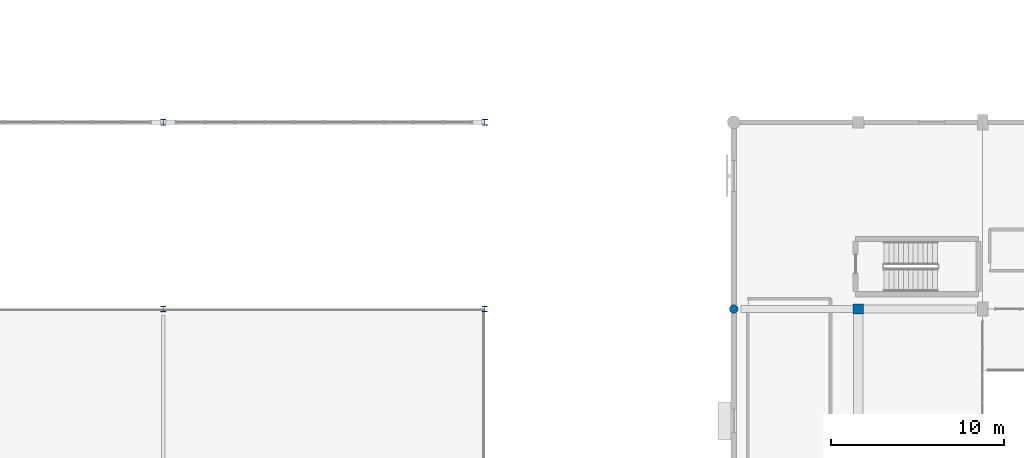
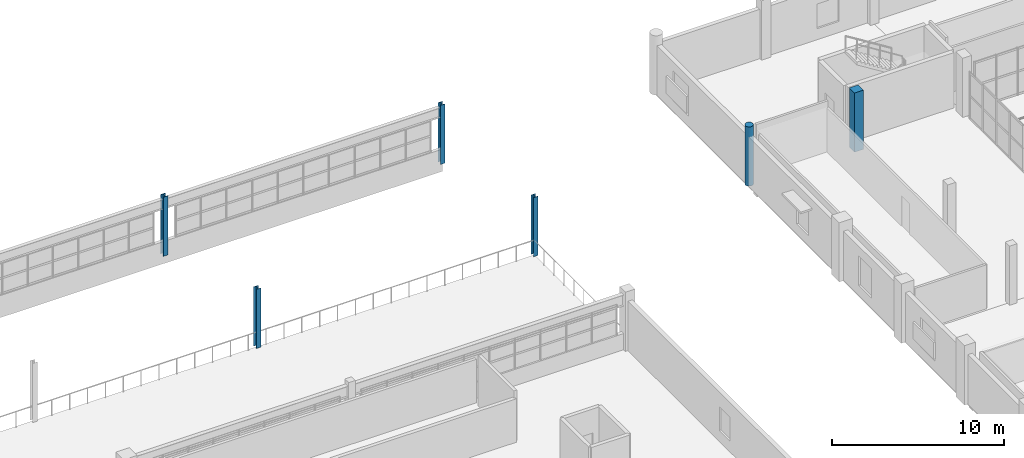
# One storey, part 5 of 92: 6 columns.
"""IFC4 building model written with IfcOpenShell, lengths in metres."""

import ifcopenshell
import ifcopenshell.guid

model = None  # the IFC model being written
_history = None  # IfcOwnerHistory: only IFC2X3 demands one
_inside = {}  # id of a spatial element -> (the spatial element, [elements in it])
_under = {}  # id of a project, library or spatial element -> (it, [spatial elements below it])
_declared = {}  # id of a project -> (the project, [libraries it declares])
_typed = {}  # id of a type object -> (the type object, [elements of that type])
_made_of = {}  # id of a material, layer set ... -> (it, [elements and type objects made of it])


def new_model(schema):
    """Start an empty IFC model of exactly this schema.

    Asked for "IFC4X3", IfcOpenShell would pick the latest addendum, in which some entities
    have other attributes; the version numbers below select the first issue.
    IFC2X3 requires an IfcOwnerHistory on every rooted entity: one is made here for all.
    """
    global model, _history
    if schema == "IFC4X3":
        model = ifcopenshell.file(schema_version=(4, 3, 0, 0))
    else:
        model = ifcopenshell.file(schema=schema)
    _inside.clear()
    _under.clear()
    _declared.clear()
    _typed.clear()
    _made_of.clear()
    _history = None
    if model.schema == "IFC2X3":
        org = make("IfcOrganization", Name="unknown")
        user = make(
            "IfcPersonAndOrganization",
            ThePerson=make("IfcPerson", FamilyName="unknown"),
            TheOrganization=org,
        )
        app = make(
            "IfcApplication",
            ApplicationDeveloper=org,
            Version="unknown",
            ApplicationFullName="unknown",
            ApplicationIdentifier="unknown",
        )
        _history = make(
            "IfcOwnerHistory",
            OwningUser=user,
            OwningApplication=app,
            ChangeAction="ADDED",
            CreationDate=0,
        )
    return model


def make(cls, **values):
    """One entity of the class cls with the attributes given. An attribute that is None is left unset."""
    return model.create_entity(
        cls, **{name: value for name, value in values.items() if value is not None}
    )


def rooted(cls, **values):
    """An entity with a GlobalId (a new one), such as an element, a storey or a relation."""
    return make(cls, GlobalId=ifcopenshell.guid.new(), OwnerHistory=_history, **values)


def si_unit(unit_type, name, prefix=None):
    """IfcSIUnit, for example si_unit("LENGTHUNIT", "METRE", prefix="MILLI")."""
    return make("IfcSIUnit", UnitType=unit_type, Prefix=prefix, Name=name)


def assignment(units):
    """IfcUnitAssignment: the units of a project."""
    return None if units is None else make("IfcUnitAssignment", Units=units)


def point(xyz):
    """IfcCartesianPoint."""
    return None if xyz is None else make("IfcCartesianPoint", Coordinates=xyz)


def direction(xyz):
    """IfcDirection."""
    return None if xyz is None else make("IfcDirection", DirectionRatios=xyz)


def frame(location, z_axis=None, x_axis=None):
    """IfcAxis2Placement3D, a coordinate frame: its origin and axes. An axis left out is left unset."""
    return make(
        "IfcAxis2Placement3D",
        Location=point(location),
        Axis=direction(z_axis),
        RefDirection=direction(x_axis),
    )


def frame_2d(location, x_axis=None):
    """IfcAxis2Placement2D, a coordinate frame in the plane: its origin and x axis."""
    return make(
        "IfcAxis2Placement2D", Location=point(location), RefDirection=direction(x_axis)
    )


def origin():
    """The frame at (0, 0, 0) with its axes left unset."""
    return frame((0.0, 0.0, 0.0))


def origin_2d():
    """The frame at (0, 0) in the plane with its x axis left unset."""
    return frame_2d((0.0, 0.0))


def place(relative_to, where):
    """IfcLocalPlacement: puts the frame where relative to a parent placement (None: the world)."""
    return make(
        "IfcLocalPlacement", PlacementRelTo=relative_to, RelativePlacement=where
    )


def context(
    kind, dimensions, precision=None, world=None, true_north=None, identifier=None
):
    """IfcGeometricRepresentationContext, for example the 3D "Model" context."""
    return make(
        "IfcGeometricRepresentationContext",
        ContextIdentifier=identifier,
        ContextType=kind,
        CoordinateSpaceDimension=dimensions,
        Precision=precision,
        WorldCoordinateSystem=world,
        TrueNorth=true_north,
    )


def subcontext(parent, identifier, kind, view, scale=None):
    """IfcGeometricRepresentationSubContext, for example "Body" below "Model"."""
    return make(
        "IfcGeometricRepresentationSubContext",
        ContextIdentifier=identifier,
        ContextType=kind,
        ParentContext=parent,
        TargetScale=scale,
        TargetView=view,
    )


def project(units=None, contexts=None):
    """IfcProject with its units and contexts."""
    return rooted(
        "IfcProject",
        Name="project",
        RepresentationContexts=contexts,
        UnitsInContext=assignment(units),
    )


def spatial(cls, under=None, at=None, **own):
    """A site, building, storey or space (cls), placed at a placement, below another one or the project."""
    s = rooted(cls, ObjectPlacement=at, **own)
    if under is not None:
        _under.setdefault(under.id(), (under, []))[1].append(s)
    return s


def profile(cls, at=None, kind="AREA", **sizes):
    """A parametric profile (cls). Its sizes go by their IFC names, for example OverallWidth=200.0."""
    return make(cls, ProfileType=kind, Position=at, **sizes)


def rectangle(**sizes):
    """IfcRectangleProfileDef."""
    return profile("IfcRectangleProfileDef", **sizes)


def circle(**sizes):
    """IfcCircleProfileDef."""
    return profile("IfcCircleProfileDef", **sizes)


def i_section(**sizes):
    """IfcIShapeProfileDef."""
    return profile("IfcIShapeProfileDef", **sizes)


def extrude(swept, where, along, depth):
    """IfcExtrudedAreaSolid: the profile swept, set in the frame where, extruded along a direction by depth."""
    return make(
        "IfcExtrudedAreaSolid",
        SweptArea=swept,
        Position=where,
        ExtrudedDirection=direction(along),
        Depth=depth,
    )


def shape(context_of_items, identifier, shape_type, items):
    """IfcShapeRepresentation: the items that make up one representation, for example the "Body"."""
    return make(
        "IfcShapeRepresentation",
        ContextOfItems=context_of_items,
        RepresentationIdentifier=identifier,
        RepresentationType=shape_type,
        Items=items,
    )


def material(Name=None, Category=None):
    """IfcMaterial."""
    return make("IfcMaterial", Name=Name, Category=Category)


def material_profile(
    of_material, cross_section, Name=None, Category=None, Priority=None
):
    """IfcMaterialProfile: a cross section and its material."""
    return make(
        "IfcMaterialProfile",
        Name=Name,
        Material=of_material,
        Profile=cross_section,
        Priority=Priority,
        Category=Category,
    )


def profile_set(profiles, Name=None, composite=None):
    """IfcMaterialProfileSet."""
    return make(
        "IfcMaterialProfileSet",
        Name=Name,
        MaterialProfiles=profiles,
        CompositeProfile=composite,
    )


def made_of(thing, what):
    """Note that an element or type object is made of a material, layer set ...; save() writes the relation."""
    if what is not None:
        _made_of.setdefault(what.id(), (what, []))[1].append(thing)
    return thing


def type_object(cls, material=None, **own):
    """A type object (cls), such as IfcWallType, which elements share."""
    return made_of(rooted(cls, **own), material)


def element(
    cls,
    number,
    at=None,
    inside=None,
    cuts=None,
    type_object=None,
    material=None,
    context=None,
    identifier="Body",
    shape_type=None,
    held_by="IfcProductDefinitionShape",
    body=None,
    shapes=None,
    **own,
):
    """One element of the class cls, such as IfcWall. Its Tag is "e" and its number.

    at: its placement. inside: the storey or other place that contains it. cuts: it is an
    opening in that element (IfcRelVoidsElement). A single representation is given by context,
    identifier, shape_type and body (its items); several are given by shapes. held_by: the class
    of the entity that holds the representations. save() writes the other relations.
    """
    e = rooted(cls, Tag="e%d" % number, ObjectPlacement=at, **own)
    if body is not None:
        shapes = [shape(context, identifier, shape_type, body)]
    if shapes is not None:
        e.Representation = make(held_by, Representations=shapes)
    if inside is not None:
        _inside.setdefault(inside.id(), (inside, []))[1].append(e)
    if cuts is not None:
        rooted(
            "IfcRelVoidsElement", RelatingBuildingElement=cuts, RelatedOpeningElement=e
        )
    if type_object is not None:
        _typed.setdefault(type_object.id(), (type_object, []))[1].append(e)
    return made_of(e, material)


def aggregate(whole, parts):
    """IfcRelAggregates: a whole, such as a stair, and the parts it consists of."""
    return rooted("IfcRelAggregates", RelatingObject=whole, RelatedObjects=parts)


def save(model, path):
    """Write the relations noted so far, then the file.

    IfcRelAggregates (storeys below a building ...), IfcRelContainedInSpatialStructure (elements
    in a storey), IfcRelDefinesByType, IfcRelAssociatesMaterial and IfcRelDeclares: one each for
    every whole, place, type object, material and project.
    """
    for whole, parts in _under.values():
        aggregate(whole, parts)
    for where, things in _inside.values():
        rooted(
            "IfcRelContainedInSpatialStructure",
            RelatedElements=things,
            RelatingStructure=where,
        )
    for kind, things in _typed.values():
        rooted("IfcRelDefinesByType", RelatedObjects=things, RelatingType=kind)
    for what, things in _made_of.values():
        rooted("IfcRelAssociatesMaterial", RelatedObjects=things, RelatingMaterial=what)
    for by, libraries in _declared.values():
        rooted("IfcRelDeclares", RelatingContext=by, RelatedDefinitions=libraries)
    model.write(path)


model = new_model("IFC4")

# Units and contexts
model_context = context("Model", 3, precision=1e-05, world=origin(), true_north=direction((0.0, 1.0)))
body_context = subcontext(model_context, "Body", "Model", "MODEL_VIEW")
ifc_project = project(units=[si_unit("LENGTHUNIT", "METRE"), si_unit("AREAUNIT", "SQUARE_METRE"), si_unit("VOLUMEUNIT", "CUBIC_METRE"), si_unit("PLANEANGLEUNIT", "RADIAN"), si_unit("MASSUNIT", "GRAM", prefix="KILO")], contexts=[model_context])

# Site, building, storey
site_placement = place(None, origin())
site = spatial("IfcSite", under=ifc_project, at=site_placement, CompositionType="ELEMENT")
building_placement = place(site_placement, origin())
building = spatial("IfcBuilding", under=site, at=building_placement, Name="Solanera Park Tramway Depot", CompositionType="ELEMENT")
storey_placement = place(building_placement, frame((0.0, 0.0, 4.800048828125)))
storey = spatial("IfcBuildingStorey", under=building, at=storey_placement, Name="L01", CompositionType="ELEMENT", Elevation=4.800048828125)

# Columns
ifc_material_1 = material(Name="Concrete N40 (C40/50)", Category="concrete")
ifc_material_profile_1 = material_profile(ifc_material_1, circle(Radius=0.25, at=origin_2d()), Name="RC D500")
ifc_profile_set_1 = profile_set([ifc_material_profile_1], Name="Concrete N40 (C40/50)")
column_type_1 = type_object("IfcColumnType", Name="RC Column Ext RC D500", PredefinedType="COLUMN", material=ifc_profile_set_1)
column_1_placement = place(storey_placement, frame((108.0, 43.199951171875, 0.0), z_axis=(0.0, 0.0, 1.0), x_axis=(1.0, 0.0, 0.0)))
element("IfcColumn", 1, at=column_1_placement, inside=storey, type_object=column_type_1, Name="L01 Column V4-X1080-Y432", PredefinedType="COLUMN", context=body_context, shape_type="SweptSolid", body=[
    extrude(circle(Radius=0.25, at=origin_2d()), origin(), (0.0, 0.0, 1.0), 4.199951171875),
])
ifc_material_2 = material(Name="Concrete N40 (C40/50)", Category="concrete")
ifc_material_profile_2 = material_profile(ifc_material_2, rectangle(XDim=0.60009765625, YDim=0.60009765625, at=origin_2d()), Name="RC 600x600")
ifc_profile_set_2 = profile_set([ifc_material_profile_2], Name="Concrete N40 (C40/50)")
column_type_2 = type_object("IfcColumnType", Name="RC Column Int RC 600x600", PredefinedType="COLUMN", material=ifc_profile_set_2)
column_2_placement = place(storey_placement, frame((115.199951171875, 43.199951171875, 0.0), z_axis=(0.0, 0.0, 1.0), x_axis=(1.0, 0.0, 0.0)))
element("IfcColumn", 2, at=column_2_placement, inside=storey, type_object=column_type_2, Name="L01 Column V4-X1152-Y432", PredefinedType="COLUMN", context=body_context, shape_type="SweptSolid", body=[
    extrude(rectangle(XDim=0.60009765625, YDim=0.60009765625, at=origin_2d()), origin(), (0.0, 0.0, 1.0), 4.199951171875),
])
ifc_material_3 = material(Name="Steel AS/NZS 3679.1 Grade 350", Category="steel")
ifc_material_profile_3 = material_profile(ifc_material_3, i_section(OverallWidth=0.306884765625, OverallDepth=0.314697265625, WebThickness=0.011962890625, FlangeThickness=0.018798828125, at=origin_2d()), Name="310UC118")
ifc_profile_set_3 = profile_set([ifc_material_profile_3], Name="Steel AS/NZS 3679.1 Grade 350")
column_type_3 = type_object("IfcColumnType", Name="Steel Column Ext 310UC118", PredefinedType="COLUMN", material=ifc_profile_set_3)
column_3_placement = place(storey_placement, frame((93.60009765625, 43.199951171875, 0.0), z_axis=(0.0, 0.0, 1.0), x_axis=(1.0, 0.0, 0.0)))
element("IfcColumn", 3, at=column_3_placement, inside=storey, type_object=column_type_3, Name="L01 Column V2-X936-Y432", PredefinedType="COLUMN", context=body_context, shape_type="SweptSolid", body=[
    extrude(i_section(OverallWidth=0.306884765625, OverallDepth=0.314697265625, WebThickness=0.011962890625, FlangeThickness=0.018798828125, at=origin_2d()), origin(), (0.0, 0.0, 1.0), 4.199951171875),
])
ifc_material_4 = material(Name="Steel AS/NZS 3679.1 Grade 350", Category="steel")
ifc_material_profile_4 = material_profile(ifc_material_4, i_section(OverallWidth=0.310546875, OverallDepth=0.3271484375, WebThickness=0.015625, FlangeThickness=0.02490234375, at=origin_2d()), Name="310UC158")
ifc_profile_set_4 = profile_set([ifc_material_profile_4], Name="Steel AS/NZS 3679.1 Grade 350")
column_type_4 = type_object("IfcColumnType", Name="Steel Column Ext 310UC158", PredefinedType="COLUMN", material=ifc_profile_set_4)
for number, where, z_axis, x_axis, name in (
    (4, (75.0, 54.0, 0.0), (0.0, 0.0, 1.0), (1.0, 0.0, 0.0), "L01 Column V2-X750-Y540"),
    (5, (93.60009765625, 54.0, 0.0), (0.0, 0.0, 1.0), (1.0, 0.0, 0.0), "L01 Column V2-X936-Y540"),
):
    element("IfcColumn", number, at=place(storey_placement, frame(where, z_axis=z_axis, x_axis=x_axis)), inside=storey, type_object=column_type_4, Name=name, PredefinedType="COLUMN", context=body_context, shape_type="SweptSolid", body=[
        extrude(i_section(OverallWidth=0.310546875, OverallDepth=0.3271484375, WebThickness=0.015625, FlangeThickness=0.02490234375, at=origin_2d()), origin(), (0.0, 0.0, 1.0), 4.199951171875),
    ])
ifc_material_5 = material(Name="Steel AS/NZS 3679.1 Grade 350", Category="steel")
ifc_material_profile_5 = material_profile(ifc_material_5, i_section(OverallWidth=0.306884765625, OverallDepth=0.314697265625, WebThickness=0.011962890625, FlangeThickness=0.018798828125, at=origin_2d()), Name="310UC118")
ifc_profile_set_5 = profile_set([ifc_material_profile_5], Name="Steel AS/NZS 3679.1 Grade 350")
column_type_5 = type_object("IfcColumnType", Name="Steel Column Int 310UC118", PredefinedType="COLUMN", material=ifc_profile_set_5)
column_4_placement = place(storey_placement, frame((75.0, 43.199951171875, 0.0), z_axis=(0.0, 0.0, 1.0), x_axis=(1.0, 0.0, 0.0)))
element("IfcColumn", 6, at=column_4_placement, inside=storey, type_object=column_type_5, Name="L01 Column V2-X750-Y432", PredefinedType="COLUMN", context=body_context, shape_type="SweptSolid", body=[
    extrude(i_section(OverallWidth=0.306884765625, OverallDepth=0.314697265625, WebThickness=0.011962890625, FlangeThickness=0.018798828125, at=origin_2d()), origin(), (0.0, 0.0, 1.0), 4.199951171875),
])

save(model, "model.ifc")
